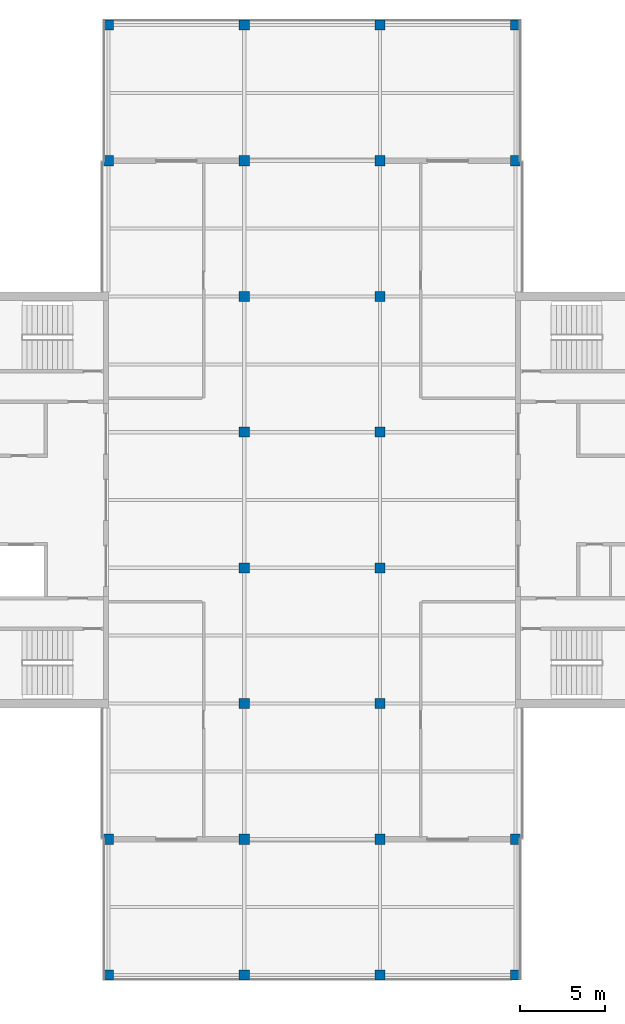
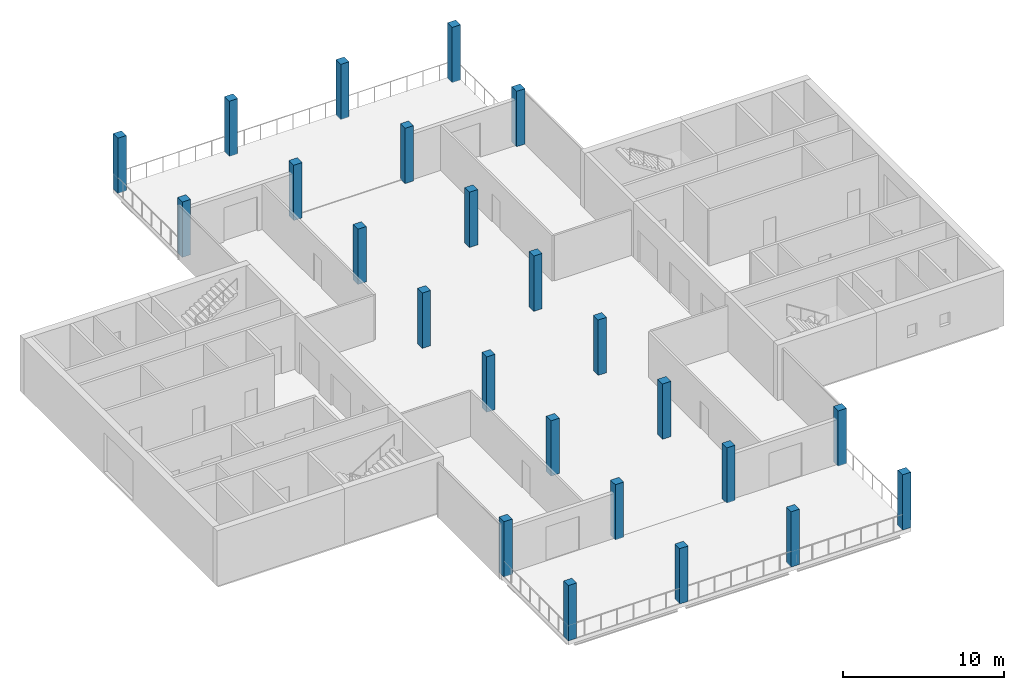
# One storey, part 1 of 12: 24 columns.
"""IFC4 building model written with IfcOpenShell, lengths in metres."""

from ifc_helpers import new_model, si_unit, direction, frame, origin, origin_2d, place, context, subcontext, project, spatial, rectangle, extrude, material, material_profile, profile_set, type_object, element, save


model = new_model("IFC4")

# Units and contexts
model_context = context("Model", 3, precision=1e-05, world=origin(), true_north=direction((0.0, 1.0)))
body_context = subcontext(model_context, "Body", "Model", "MODEL_VIEW")
ifc_project = project(units=[si_unit("LENGTHUNIT", "METRE"), si_unit("AREAUNIT", "SQUARE_METRE"), si_unit("VOLUMEUNIT", "CUBIC_METRE"), si_unit("PLANEANGLEUNIT", "RADIAN"), si_unit("MASSUNIT", "GRAM", prefix="KILO")], contexts=[model_context])

# Site, building, storey
site_placement = place(None, origin())
site = spatial("IfcSite", under=ifc_project, at=site_placement, CompositionType="ELEMENT")
building_placement = place(site_placement, origin())
building = spatial("IfcBuilding", under=site, at=building_placement, Name="Crosswind Convention Tower", CompositionType="ELEMENT")
storey_placement = place(building_placement, frame((0.0, 0.0, 323.89990234375)))
storey = spatial("IfcBuildingStorey", under=building, at=storey_placement, Name="L70", CompositionType="ELEMENT", Elevation=323.89990234375)

# Columns
ifc_material = material(Name="Concrete C60/75", Category="concrete")
ifc_material_profile = material_profile(ifc_material, rectangle(XDim=0.60009765625, YDim=0.60009765625, at=origin_2d()), Name="RC 600X600")
ifc_profile_set = profile_set([ifc_material_profile], Name="Concrete C60/75")
column_type = type_object("IfcColumnType", Name="Column RC 600X600", PredefinedType="COLUMN", material=ifc_profile_set)
for number, where, z_axis, x_axis, name in (
    (1, (113.0, 72.0, 0.0), (0.0, 0.0, 1.0), (1.0, 0.0, 0.0), "C16 L70 5/C"),
    (2, (113.0, 80.0, 0.0), (0.0, 0.0, 1.0), (1.0, 0.0, 0.0), "C16 L70 5/D"),
    (3, (113.0, 120.0, 0.0), (0.0, 0.0, 1.0), (1.0, 0.0, 0.0), "C16 L70 5/I"),
    (4, (113.0, 128.0, 0.0), (0.0, 0.0, 1.0), (1.0, 0.0, 0.0), "C16 L70 5/J"),
    (5, (121.0, 72.0, 0.0), (0.0, 0.0, 1.0), (1.0, 0.0, 0.0), "C16 L70 6/C"),
    (6, (121.0, 80.0, 0.0), (0.0, 0.0, 1.0), (1.0, 0.0, 0.0), "C16 L70 6/D"),
    (7, (121.0, 88.0, 0.0), (0.0, 0.0, 1.0), (1.0, 0.0, 0.0), "C16 L70 6/E"),
    (8, (121.0, 96.0, 0.0), (0.0, 0.0, 1.0), (1.0, 0.0, 0.0), "C16 L70 6/F"),
    (9, (121.0, 104.0, 0.0), (0.0, 0.0, 1.0), (1.0, 0.0, 0.0), "C16 L70 6/G"),
    (10, (121.0, 112.0, 0.0), (0.0, 0.0, 1.0), (1.0, 0.0, 0.0), "C16 L70 6/H"),
    (11, (121.0, 120.0, 0.0), (0.0, 0.0, 1.0), (1.0, 0.0, 0.0), "C16 L70 6/I"),
    (12, (121.0, 128.0, 0.0), (0.0, 0.0, 1.0), (1.0, 0.0, 0.0), "C16 L70 6/J"),
    (13, (129.0, 72.0, 0.0), (0.0, 0.0, 1.0), (1.0, 0.0, 0.0), "C16 L70 7/C"),
    (14, (129.0, 80.0, 0.0), (0.0, 0.0, 1.0), (1.0, 0.0, 0.0), "C16 L70 7/D"),
    (15, (129.0, 88.0, 0.0), (0.0, 0.0, 1.0), (1.0, 0.0, 0.0), "C16 L70 7/E"),
    (16, (129.0, 96.0, 0.0), (0.0, 0.0, 1.0), (1.0, 0.0, 0.0), "C16 L70 7/F"),
    (17, (129.0, 104.0, 0.0), (0.0, 0.0, 1.0), (1.0, 0.0, 0.0), "C16 L70 7/G"),
    (18, (129.0, 112.0, 0.0), (0.0, 0.0, 1.0), (1.0, 0.0, 0.0), "C16 L70 7/H"),
    (19, (129.0, 120.0, 0.0), (0.0, 0.0, 1.0), (1.0, 0.0, 0.0), "C16 L70 7/I"),
    (20, (129.0, 128.0, 0.0), (0.0, 0.0, 1.0), (1.0, 0.0, 0.0), "C16 L70 7/J"),
    (21, (137.0, 72.0, 0.0), (0.0, 0.0, 1.0), (1.0, 0.0, 0.0), "C16 L70 8/C"),
    (22, (137.0, 80.0, 0.0), (0.0, 0.0, 1.0), (1.0, 0.0, 0.0), "C16 L70 8/D"),
    (23, (137.0, 120.0, 0.0), (0.0, 0.0, 1.0), (1.0, 0.0, 0.0), "C16 L70 8/I"),
    (24, (137.0, 128.0, 0.0), (0.0, 0.0, 1.0), (1.0, 0.0, 0.0), "C16 L70 8/J"),
):
    element("IfcColumn", number, at=place(storey_placement, frame(where, z_axis=z_axis, x_axis=x_axis)), inside=storey, type_object=column_type, Name=name, PredefinedType="COLUMN", context=body_context, shape_type="SweptSolid", body=[
        extrude(rectangle(XDim=0.60009765625, YDim=0.60009765625, at=origin_2d()), origin(), (0.0, 0.0, 1.0), 4.2001953125),
    ])

save(model, "model.ifc")
